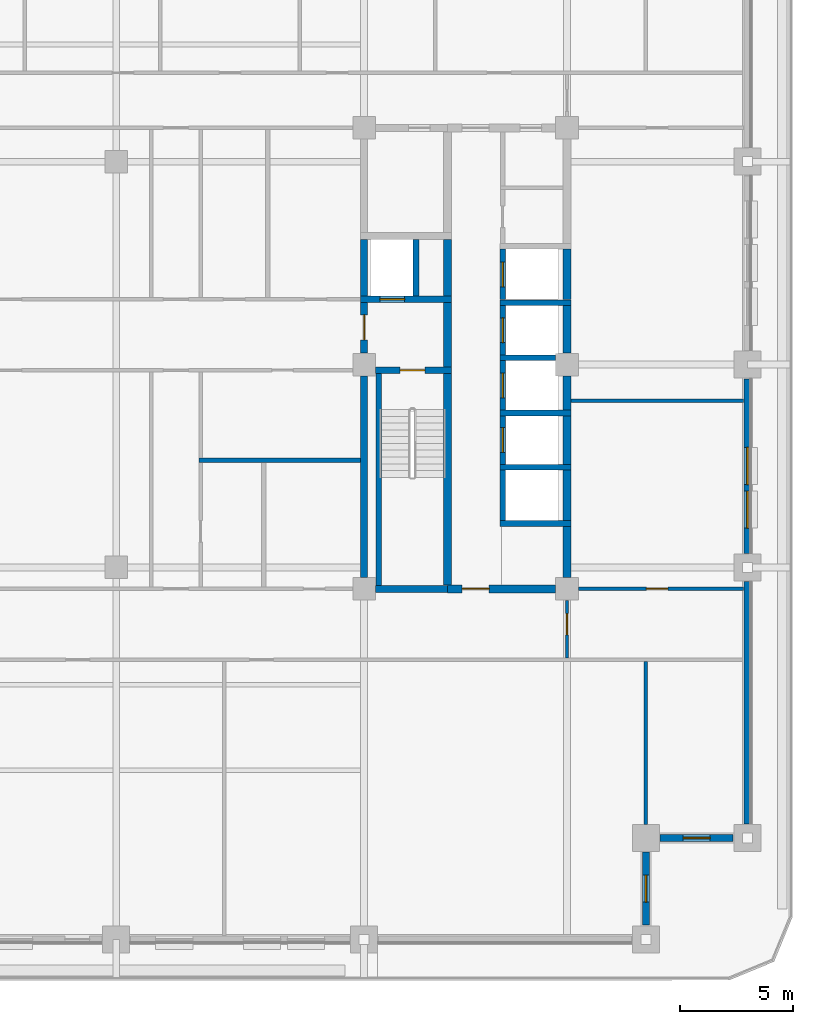
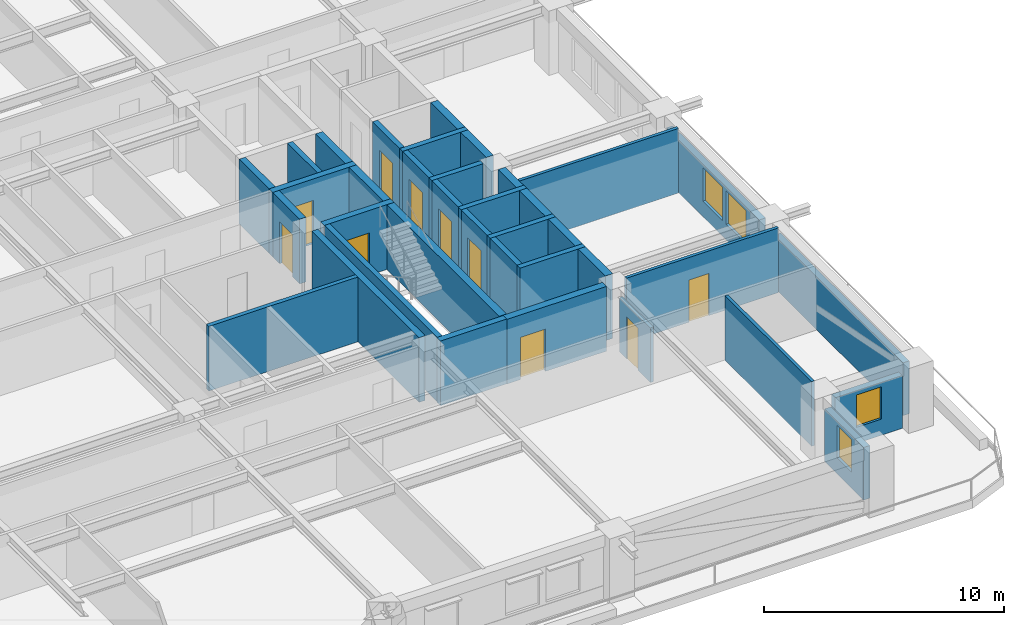
# One storey, part 4 of 14: 37 walls, 10 doors, 4 windows, 14 openings.
"""IFC4 building model written with IfcOpenShell, lengths in metres."""

from ifc_helpers import new_model, si_unit, direction, frame, frame_2d, origin, place, context, subcontext, project, spatial, rectangle, extrude, material, layer, layer_set, type_object, element, fill, save


model = new_model("IFC4")

# Units and contexts
model_context = context("Model", 3, precision=1e-05, world=origin(), true_north=direction((0.0, 1.0)))
body_context = subcontext(model_context, "Body", "Model", "MODEL_VIEW")
ifc_project = project(units=[si_unit("LENGTHUNIT", "METRE"), si_unit("AREAUNIT", "SQUARE_METRE"), si_unit("VOLUMEUNIT", "CUBIC_METRE"), si_unit("PLANEANGLEUNIT", "RADIAN"), si_unit("MASSUNIT", "GRAM", prefix="KILO")], contexts=[model_context])

# Site, building, storey
site_placement = place(None, origin())
site = spatial("IfcSite", under=ifc_project, at=site_placement, CompositionType="ELEMENT")
building_placement = place(site_placement, origin())
building = spatial("IfcBuilding", under=site, at=building_placement, Name="Zulmaris Gate Convention Tower", CompositionType="ELEMENT")
storey_placement = place(building_placement, frame((0.0, 0.0, 94.929931640625)))
storey = spatial("IfcBuildingStorey", under=building, at=storey_placement, Name="L23", CompositionType="ELEMENT", Elevation=94.929931640625)

# Walls
ifc_material_1 = material(Name="Concrete C50/60", Category="concrete")
ifc_layer_1 = layer(ifc_material_1, 0.25, Name="Concrete C50/60")
ifc_layer_set_1 = layer_set([ifc_layer_1], Name="Concrete C50/60")
wall_type_1 = type_object("IfcWallType", Name="CORE-250", PredefinedType="SOLIDWALL", material=ifc_layer_set_1)
for number, where, z_axis, x_axis, name in (
    (1, (17.02490234375, -7.050048828125, 0.0), (0.0, 0.0, 1.0), (1.0, 0.0, 0.0), "WL-L23-005"),
    (2, (17.02490234375, -4.550048828125, 0.0), (0.0, 0.0, 1.0), (1.0, 0.0, 0.0), "WL-L23-006"),
    (3, (17.02490234375, -2.14990234375, 0.0), (0.0, 0.0, 1.0), (1.0, 0.0, 0.0), "WL-L23-007"),
):
    element("IfcWall", number, at=place(storey_placement, frame(where, z_axis=z_axis, x_axis=x_axis)), inside=storey, type_object=wall_type_1, Name=name, PredefinedType="SOLIDWALL", context=body_context, shape_type="SweptSolid", body=[
        extrude(rectangle(XDim=3.150146484375, YDim=0.25, at=frame_2d((1.5751953125, 0.0))), origin(), (0.0, 0.0, 1.0), 3.295166015625),
    ])
wall_1_placement = place(storey_placement, frame((17.02490234375, 0.300048828125, 0.0), z_axis=(0.0, 0.0, 1.0), x_axis=(1.0, 0.0, 0.0)))
element("IfcWall", 4, at=wall_1_placement, inside=storey, type_object=wall_type_1, Name="WL-L23-010", PredefinedType="SOLIDWALL", context=body_context, shape_type="SweptSolid", body=[
    extrude(rectangle(XDim=2.47119140625, YDim=0.25, at=frame_2d((1.235595703125, 0.0))), origin(), (0.0, 0.0, 1.0), 3.295166015625),
])
wall_2_placement = place(storey_placement, frame((17.02490234375, 2.75, 0.0), z_axis=(0.0, 0.0, 1.0), x_axis=(1.0, 0.0, 0.0)))
element("IfcWall", 5, at=wall_2_placement, inside=storey, type_object=wall_type_1, Name="WL-L23-011", PredefinedType="SOLIDWALL", context=body_context, shape_type="SweptSolid", body=[
    extrude(rectangle(XDim=3.150146484375, YDim=0.25, at=frame_2d((1.5751953125, 0.0))), origin(), (0.0, 0.0, 1.0), 3.295166015625),
])
wall_3_placement = place(storey_placement, frame((11.64990234375, -9.798095703125, 0.0), z_axis=(0.0, 0.0, 1.0), x_axis=(0.0, 1.0, 0.0)))
element("IfcWall", 6, at=wall_3_placement, inside=storey, type_object=wall_type_1, Name="WL-L23-051", PredefinedType="SOLIDWALL", context=body_context, shape_type="SweptSolid", body=[
    extrude(rectangle(XDim=9.39599609375, YDim=0.25, at=frame_2d((4.697998046875, 0.0))), origin(), (0.0, 0.0, 1.0), 3.295166015625),
])
wall_4_placement = place(storey_placement, frame((13.300048828125, 3.052001953125, 0.0), z_axis=(0.0, 0.0, 1.0), x_axis=(0.0, 1.0, 0.0)))
element("IfcWall", 7, at=wall_4_placement, inside=storey, type_object=wall_type_1, Name="WL-L23-052", PredefinedType="SOLIDWALL", context=body_context, shape_type="SweptSolid", body=[
    extrude(rectangle(XDim=2.49609375, YDim=0.25, at=frame_2d((1.248046875, 0.0))), origin(), (0.0, 0.0, 1.0), 3.295166015625),
])
wall_5_placement = place(storey_placement, frame((17.14990234375, -6.923095703125, 0.0), z_axis=(0.0, 0.0, 1.0), x_axis=(0.0, 1.0, 0.0)))
element("IfcWall", 8, at=wall_5_placement, inside=storey, type_object=wall_type_1, Name="WL-L23-057", PredefinedType="SOLIDWALL", context=body_context, shape_type="SweptSolid", body=[
    extrude(rectangle(XDim=2.24609375, YDim=0.25, at=frame_2d((1.123046875, 0.0))), origin(), (0.0, 0.0, 1.0), 3.295166015625),
])

# Wall, opening, door
wall_6_placement = place(storey_placement, frame((17.14990234375, -4.423095703125, 0.0), z_axis=(0.0, 0.0, 1.0), x_axis=(0.0, 1.0, 0.0)))
wall_6 = element("IfcWall", 9, at=wall_6_placement, inside=storey, type_object=wall_type_1, Name="WL-L23-058", PredefinedType="SOLIDWALL", context=body_context, shape_type="SweptSolid", body=[
    extrude(rectangle(XDim=2.14599609375, YDim=0.25, at=frame_2d((1.072998046875, 0.0))), origin(), (0.0, 0.0, 1.0), 3.295166015625),
])
opening_1_placement = place(wall_6_placement, frame((0.52294921875, 0.0, 0.0)))
opening_1 = element("IfcOpeningElement", 10, at=opening_1_placement, cuts=wall_6, Name="Opening D-06", PredefinedType="OPENING", context=body_context, shape_type="SweptSolid", body=[
    extrude(rectangle(XDim=1.10009765625, YDim=2.199951171875, at=frame_2d((0.550048828125, 1.10009765625))), frame((0.0, 0.135009765625, 0.0), z_axis=(0.0, -1.0, 0.0), x_axis=(1.0, 0.0, 0.0)), (0.0, 0.0, 1.0), 0.27001953125),
])
ifc_material_2 = material(Name="Brushed Stainless Steel", Category="steel")
door_type_1 = type_object("IfcDoorType", Name="LD-1100", OperationType="NOTDEFINED", PredefinedType="DOOR", material=ifc_material_2)
door_1_placement = place(opening_1_placement, origin())
door_1 = element("IfcDoor", 11, at=door_1_placement, inside=storey, type_object=door_type_1, Name="L23 Lift Landing Door MP-01 13", OperationType="SLIDING_TO_RIGHT", OverallHeight=2.199951171875, OverallWidth=1.10009765625, PredefinedType="DOOR", context=body_context, shape_type="SweptSolid", body=[
    extrude(rectangle(XDim=1.10009765625, YDim=2.199951171875, at=frame_2d((0.550048828125, 1.10009765625))), frame((0.0, 0.02490234375, 0.0), z_axis=(0.0, -1.0, 0.0), x_axis=(1.0, 0.0, 0.0)), (0.0, 0.0, 1.0), 0.050048828125),
])
fill(opening_1, door_1)

wall_7_placement = place(storey_placement, frame((17.14990234375, -2.02294921875, 0.0), z_axis=(0.0, 0.0, 1.0), x_axis=(0.0, 1.0, 0.0)))
wall_7 = element("IfcWall", 12, at=wall_7_placement, inside=storey, type_object=wall_type_1, Name="WL-L23-059", PredefinedType="SOLIDWALL", context=body_context, shape_type="SweptSolid", body=[
    extrude(rectangle(XDim=2.196044921875, YDim=0.25, at=frame_2d((1.09814453125, 0.0))), origin(), (0.0, 0.0, 1.0), 3.295166015625),
])
opening_2_placement = place(wall_7_placement, frame((0.548095703125, 0.0, 0.0)))
opening_2 = element("IfcOpeningElement", 13, at=opening_2_placement, cuts=wall_7, Name="Opening D-06", PredefinedType="OPENING", context=body_context, shape_type="SweptSolid", body=[
    extrude(rectangle(XDim=1.10009765625, YDim=2.199951171875, at=frame_2d((0.550048828125, 1.10009765625))), frame((0.0, 0.135009765625, 0.0), z_axis=(0.0, -1.0, 0.0), x_axis=(1.0, 0.0, 0.0)), (0.0, 0.0, 1.0), 0.27001953125),
])
door_2_placement = place(opening_2_placement, origin())
door_2 = element("IfcDoor", 14, at=door_2_placement, inside=storey, type_object=door_type_1, Name="L23 Lift Landing Door MP-02 14", OperationType="SLIDING_TO_RIGHT", OverallHeight=2.199951171875, OverallWidth=1.10009765625, PredefinedType="DOOR", context=body_context, shape_type="SweptSolid", body=[
    extrude(rectangle(XDim=1.10009765625, YDim=2.199951171875, at=frame_2d((0.550048828125, 1.10009765625))), frame((0.0, 0.02490234375, 0.0), z_axis=(0.0, -1.0, 0.0), x_axis=(1.0, 0.0, 0.0)), (0.0, 0.0, 1.0), 0.050048828125),
])
fill(opening_2, door_2)

wall_8_placement = place(storey_placement, frame((17.14990234375, 0.427001953125, 0.0), z_axis=(0.0, 0.0, 1.0), x_axis=(0.0, 1.0, 0.0)))
wall_8 = element("IfcWall", 15, at=wall_8_placement, inside=storey, type_object=wall_type_1, Name="WL-L23-060", PredefinedType="SOLIDWALL", context=body_context, shape_type="SweptSolid", body=[
    extrude(rectangle(XDim=2.196044921875, YDim=0.25, at=frame_2d((1.09814453125, 0.0))), origin(), (0.0, 0.0, 1.0), 3.295166015625),
])
opening_3_placement = place(wall_8_placement, frame((0.548095703125, 0.0, 0.0)))
opening_3 = element("IfcOpeningElement", 16, at=opening_3_placement, cuts=wall_8, Name="Opening D-06", PredefinedType="OPENING", context=body_context, shape_type="SweptSolid", body=[
    extrude(rectangle(XDim=1.10009765625, YDim=2.199951171875, at=frame_2d((0.550048828125, 1.10009765625))), frame((0.0, 0.135009765625, 0.0), z_axis=(0.0, -1.0, 0.0), x_axis=(1.0, 0.0, 0.0)), (0.0, 0.0, 1.0), 0.27001953125),
])
door_3_placement = place(opening_3_placement, origin())
door_3 = element("IfcDoor", 17, at=door_3_placement, inside=storey, type_object=door_type_1, Name="L23 Lift Landing Door MP-03 15", OperationType="SLIDING_TO_RIGHT", OverallHeight=2.199951171875, OverallWidth=1.10009765625, PredefinedType="DOOR", context=body_context, shape_type="SweptSolid", body=[
    extrude(rectangle(XDim=1.10009765625, YDim=2.199951171875, at=frame_2d((0.550048828125, 1.10009765625))), frame((0.0, 0.02490234375, 0.0), z_axis=(0.0, -1.0, 0.0), x_axis=(1.0, 0.0, 0.0)), (0.0, 0.0, 1.0), 0.050048828125),
])
fill(opening_3, door_3)

wall_9_placement = place(storey_placement, frame((17.14990234375, 2.876953125, 0.0), z_axis=(0.0, 0.0, 1.0), x_axis=(0.0, 1.0, 0.0)))
wall_9 = element("IfcWall", 18, at=wall_9_placement, inside=storey, type_object=wall_type_1, Name="WL-L23-061", PredefinedType="SOLIDWALL", context=body_context, shape_type="SweptSolid", body=[
    extrude(rectangle(XDim=2.24609375, YDim=0.25, at=frame_2d((1.123046875, 0.0))), origin(), (0.0, 0.0, 1.0), 3.295166015625),
])
opening_4_placement = place(wall_9_placement, frame((0.572998046875, 0.0, 0.0)))
opening_4 = element("IfcOpeningElement", 19, at=opening_4_placement, cuts=wall_9, Name="Opening D-06", PredefinedType="OPENING", context=body_context, shape_type="SweptSolid", body=[
    extrude(rectangle(XDim=1.10009765625, YDim=2.199951171875, at=frame_2d((0.550048828125, 1.10009765625))), frame((0.0, 0.135009765625, 0.0), z_axis=(0.0, -1.0, 0.0), x_axis=(1.0, 0.0, 0.0)), (0.0, 0.0, 1.0), 0.27001953125),
])
door_4_placement = place(opening_4_placement, origin())
door_4 = element("IfcDoor", 20, at=door_4_placement, inside=storey, type_object=door_type_1, Name="L23 Lift Landing Door MP-04 16", OperationType="SLIDING_TO_RIGHT", OverallHeight=2.199951171875, OverallWidth=1.10009765625, PredefinedType="DOOR", context=body_context, shape_type="SweptSolid", body=[
    extrude(rectangle(XDim=1.10009765625, YDim=2.199951171875, at=frame_2d((0.550048828125, 1.10009765625))), frame((0.0, 0.02490234375, 0.0), z_axis=(0.0, -1.0, 0.0), x_axis=(1.0, 0.0, 0.0)), (0.0, 0.0, 1.0), 0.050048828125),
])
fill(opening_4, door_4)

# Wall
ifc_layer_2 = layer(ifc_material_1, 0.300048828125, Name="Concrete C50/60")
ifc_layer_set_2 = layer_set([ifc_layer_2], Name="Concrete C50/60")
wall_type_2 = type_object("IfcWallType", Name="CORE-300", PredefinedType="SHEAR", material=ifc_layer_set_2)
wall_10_placement = place(storey_placement, frame((11.50390625, -9.949951171875, 0.0), z_axis=(0.0, 0.0, 1.0), x_axis=(1.0, 0.0, 0.0)))
element("IfcWall", 21, at=wall_10_placement, inside=storey, type_object=wall_type_2, Name="WL-L23-003", PredefinedType="SHEAR", context=body_context, shape_type="SweptSolid", body=[
    extrude(rectangle(XDim=3.196044921875, YDim=0.300048828125, at=frame_2d((1.59814453125, 0.0))), origin(), (0.0, 0.0, 1.0), 3.295166015625),
])

# Wall, opening, door
wall_11_placement = place(storey_placement, frame((11.50390625, -0.25, 0.0), z_axis=(0.0, 0.0, 1.0), x_axis=(1.0, 0.0, 0.0)))
wall_11 = element("IfcWall", 22, at=wall_11_placement, inside=storey, type_object=wall_type_2, Name="WL-L23-009", PredefinedType="SHEAR", context=body_context, shape_type="SweptSolid", body=[
    extrude(rectangle(XDim=3.37109375, YDim=0.300048828125, at=frame_2d((1.685546875, 0.0))), origin(), (0.0, 0.0, 1.0), 3.295166015625),
])
opening_5_placement = place(wall_11_placement, frame((1.095947265625, 0.0, 0.0)))
opening_5 = element("IfcOpeningElement", 23, at=opening_5_placement, cuts=wall_11, Name="Opening D-08", PredefinedType="OPENING", context=body_context, shape_type="SweptSolid", body=[
    extrude(rectangle(XDim=1.10009765625, YDim=2.14990234375, at=frame_2d((0.550048828125, 1.074951171875))), frame((0.0, 0.16015625, 0.0), z_axis=(0.0, -1.0, 0.0), x_axis=(1.0, 0.0, 0.0)), (0.0, 0.0, 1.0), 0.320068359375),
])
ifc_material_3 = material(Name="Fire-Rated Steel", Category="steel")
door_type_2 = type_object("IfcDoorType", Name="DR-1100-FD", OperationType="NOTDEFINED", PredefinedType="DOOR", material=ifc_material_3)
door_5_placement = place(opening_5_placement, origin())
door_5 = element("IfcDoor", 24, at=door_5_placement, inside=storey, type_object=door_type_2, Name="L23 Exit Stair ST-2 Door 04", OperationType="SINGLE_SWING_RIGHT", OverallHeight=2.14990234375, OverallWidth=1.10009765625, PredefinedType="DOOR", context=body_context, shape_type="SweptSolid", body=[
    extrude(rectangle(XDim=1.10009765625, YDim=2.14990234375, at=frame_2d((0.550048828125, 1.074951171875))), frame((0.0, 0.02490234375, 0.0), z_axis=(0.0, -1.0, 0.0), x_axis=(1.0, 0.0, 0.0)), (0.0, 0.0, 1.0), 0.050048828125),
])
fill(opening_5, door_5)

wall_12_placement = place(storey_placement, frame((10.85009765625, 2.89990234375, 0.0), z_axis=(0.0, 0.0, 1.0), x_axis=(1.0, 0.0, 0.0)))
wall_12 = element("IfcWall", 25, at=wall_12_placement, inside=storey, type_object=wall_type_2, Name="WL-L23-013", PredefinedType="SHEAR", context=body_context, shape_type="SweptSolid", body=[
    extrude(rectangle(XDim=4.02490234375, YDim=0.300048828125, at=frame_2d((2.012451171875, 0.0))), origin(), (0.0, 0.0, 1.0), 3.295166015625),
])
opening_6_placement = place(wall_12_placement, frame((0.85009765625, 0.0, 0.0)))
opening_6 = element("IfcOpeningElement", 26, at=opening_6_placement, cuts=wall_12, Name="Opening D-06", PredefinedType="OPENING", context=body_context, shape_type="SweptSolid", body=[
    extrude(rectangle(XDim=1.10009765625, YDim=2.199951171875, at=frame_2d((0.550048828125, 1.10009765625))), frame((0.0, 0.16015625, 0.0), z_axis=(0.0, -1.0, 0.0), x_axis=(1.0, 0.0, 0.0)), (0.0, 0.0, 1.0), 0.320068359375),
])
door_6_placement = place(opening_6_placement, origin())
door_6 = element("IfcDoor", 27, at=door_6_placement, inside=storey, type_object=door_type_1, Name="L23 Lift Landing Door LF-02 06", OperationType="SLIDING_TO_RIGHT", OverallHeight=2.199951171875, OverallWidth=1.10009765625, PredefinedType="DOOR", context=body_context, shape_type="SweptSolid", body=[
    extrude(rectangle(XDim=1.10009765625, YDim=2.199951171875, at=frame_2d((0.550048828125, 1.10009765625))), frame((0.0, 0.02490234375, 0.0), z_axis=(0.0, -1.0, 0.0), x_axis=(1.0, 0.0, 0.0)), (0.0, 0.0, 1.0), 0.050048828125),
])
fill(opening_6, door_6)

# Wall
wall_13_placement = place(storey_placement, frame((11.0, -9.446044921875, 0.0), z_axis=(0.0, 0.0, 1.0), x_axis=(0.0, 1.0, 0.0)))
element("IfcWall", 28, at=wall_13_placement, inside=storey, type_object=wall_type_2, Name="WL-L23-047", PredefinedType="SHEAR", context=body_context, shape_type="SweptSolid", body=[
    extrude(rectangle(XDim=8.942138671875, YDim=0.300048828125, at=frame_2d((4.47119140625, 0.0))), origin(), (0.0, 0.0, 1.0), 3.295166015625),
])

# Wall, opening, door
wall_14_placement = place(storey_placement, frame((11.0, 0.50390625, 0.0), z_axis=(0.0, 0.0, 1.0), x_axis=(0.0, 1.0, 0.0)))
wall_14 = element("IfcWall", 29, at=wall_14_placement, inside=storey, type_object=wall_type_2, Name="WL-L23-048", PredefinedType="SHEAR", context=body_context, shape_type="SweptSolid", body=[
    extrude(rectangle(XDim=2.244140625, YDim=0.300048828125, at=frame_2d((1.1220703125, 0.0))), origin(), (0.0, 0.0, 1.0), 3.295166015625),
])
opening_7_placement = place(wall_14_placement, frame((0.595947265625, 0.0, 0.0)))
opening_7 = element("IfcOpeningElement", 30, at=opening_7_placement, cuts=wall_14, Name="Opening D-08", PredefinedType="OPENING", context=body_context, shape_type="SweptSolid", body=[
    extrude(rectangle(XDim=1.10009765625, YDim=2.14990234375, at=frame_2d((0.550048828125, 1.074951171875))), frame((0.0, 0.16015625, 0.0), z_axis=(0.0, -1.0, 0.0), x_axis=(1.0, 0.0, 0.0)), (0.0, 0.0, 1.0), 0.320068359375),
])
door_7_placement = place(opening_7_placement, origin())
door_7 = element("IfcDoor", 31, at=door_7_placement, inside=storey, type_object=door_type_2, Name="L23 East Firefighting Lobby Door 05", OperationType="SINGLE_SWING_LEFT", OverallHeight=2.14990234375, OverallWidth=1.10009765625, PredefinedType="DOOR", context=body_context, shape_type="SweptSolid", body=[
    extrude(rectangle(XDim=1.10009765625, YDim=2.14990234375, at=frame_2d((0.550048828125, 1.074951171875))), frame((0.0, 0.02490234375, 0.0), z_axis=(0.0, -1.0, 0.0), x_axis=(1.0, 0.0, 0.0)), (0.0, 0.0, 1.0), 0.050048828125),
])
fill(opening_7, door_7)

# Wall
wall_15_placement = place(storey_placement, frame((11.0, 3.052001953125, 0.0), z_axis=(0.0, 0.0, 1.0), x_axis=(0.0, 1.0, 0.0)))
element("IfcWall", 32, at=wall_15_placement, inside=storey, type_object=wall_type_2, Name="WL-L23-049", PredefinedType="SHEAR", context=body_context, shape_type="SweptSolid", body=[
    extrude(rectangle(XDim=2.49609375, YDim=0.300048828125, at=frame_2d((1.248046875, 0.0))), origin(), (0.0, 0.0, 1.0), 3.295166015625),
])

# Wall, opening, door
ifc_material_4 = material(Name="Concrete C55/67", Category="concrete")
ifc_layer_3 = layer(ifc_material_4, 0.35009765625, Name="Concrete C55/67")
ifc_layer_set_3 = layer_set([ifc_layer_3], Name="Concrete C55/67")
wall_type_3 = type_object("IfcWallType", Name="CORE-350", PredefinedType="SHEAR", material=ifc_layer_set_3)
wall_16_placement = place(storey_placement, frame((14.699951171875, -9.949951171875, 0.0), z_axis=(0.0, 0.0, 1.0), x_axis=(1.0, 0.0, 0.0)))
wall_16 = element("IfcWall", 33, at=wall_16_placement, inside=storey, type_object=wall_type_3, Name="WL-L23-004", PredefinedType="SHEAR", context=body_context, shape_type="SweptSolid", body=[
    extrude(rectangle(XDim=4.796142578125, YDim=0.35009765625, at=frame_2d((2.39794921875, 0.0))), origin(), (0.0, 0.0, 1.0), 3.295166015625),
])
opening_8_placement = place(wall_16_placement, frame((0.64990234375, 0.0, 0.0)))
opening_8 = element("IfcOpeningElement", 34, at=opening_8_placement, cuts=wall_16, Name="Opening D-13", PredefinedType="OPENING", context=body_context, shape_type="SweptSolid", body=[
    extrude(rectangle(XDim=1.199951171875, YDim=2.14990234375, at=frame_2d((0.60009765625, 1.074951171875))), frame((0.0, 0.18505859375, 0.0), z_axis=(0.0, -1.0, 0.0), x_axis=(1.0, 0.0, 0.0)), (0.0, 0.0, 1.0), 0.3701171875),
])
door_type_3 = type_object("IfcDoorType", Name="DR-1200-FD", OperationType="NOTDEFINED", PredefinedType="DOOR", material=ifc_material_3)
door_8_placement = place(opening_8_placement, origin())
door_8 = element("IfcDoor", 35, at=door_8_placement, inside=storey, type_object=door_type_3, Name="L23 East Lift Lobby South Door 17", OperationType="SINGLE_SWING_RIGHT", OverallHeight=2.14990234375, OverallWidth=1.199951171875, PredefinedType="DOOR", context=body_context, shape_type="SweptSolid", body=[
    extrude(rectangle(XDim=1.199951171875, YDim=2.14990234375, at=frame_2d((0.60009765625, 1.074951171875))), frame((0.0, 0.02490234375, 0.0), z_axis=(0.0, -1.0, 0.0), x_axis=(1.0, 0.0, 0.0)), (0.0, 0.0, 1.0), 0.050048828125),
])
fill(opening_8, door_8)

# Walls
wall_17_placement = place(storey_placement, frame((14.699951171875, -9.77294921875, 0.0), z_axis=(0.0, 0.0, 1.0), x_axis=(0.0, 1.0, 0.0)))
element("IfcWall", 36, at=wall_17_placement, inside=storey, type_object=wall_type_3, Name="WL-L23-053", PredefinedType="SHEAR", context=body_context, shape_type="SweptSolid", body=[
    extrude(rectangle(XDim=9.370849609375, YDim=0.35009765625, at=frame_2d((4.685546875, 0.0))), origin(), (0.0, 0.0, 1.0), 3.295166015625),
])
wall_18_placement = place(storey_placement, frame((14.699951171875, -0.097900390625, 0.0), z_axis=(0.0, 0.0, 1.0), x_axis=(0.0, 1.0, 0.0)))
element("IfcWall", 37, at=wall_18_placement, inside=storey, type_object=wall_type_3, Name="WL-L23-054", PredefinedType="SHEAR", context=body_context, shape_type="SweptSolid", body=[
    extrude(rectangle(XDim=2.845947265625, YDim=0.35009765625, at=frame_2d((1.4228515625, 0.0))), origin(), (0.0, 0.0, 1.0), 3.295166015625),
])
wall_19_placement = place(storey_placement, frame((14.699951171875, 3.052001953125, 0.0), z_axis=(0.0, 0.0, 1.0), x_axis=(0.0, 1.0, 0.0)))
element("IfcWall", 38, at=wall_19_placement, inside=storey, type_object=wall_type_3, Name="WL-L23-055", PredefinedType="SHEAR", context=body_context, shape_type="SweptSolid", body=[
    extrude(rectangle(XDim=2.49609375, YDim=0.35009765625, at=frame_2d((1.248046875, 0.0))), origin(), (0.0, 0.0, 1.0), 3.295166015625),
])
wall_20_placement = place(storey_placement, frame((20.0, -9.446044921875, 0.0), z_axis=(0.0, 0.0, 1.0), x_axis=(0.0, 1.0, 0.0)))
element("IfcWall", 39, at=wall_20_placement, inside=storey, type_object=wall_type_3, Name="WL-L23-062", PredefinedType="SHEAR", context=body_context, shape_type="SweptSolid", body=[
    extrude(rectangle(XDim=2.26904296875, YDim=0.35009765625, at=frame_2d((1.134521484375, 0.0))), origin(), (0.0, 0.0, 1.0), 3.295166015625),
])
wall_21_placement = place(storey_placement, frame((20.0, -6.923095703125, 0.0), z_axis=(0.0, 0.0, 1.0), x_axis=(0.0, 1.0, 0.0)))
element("IfcWall", 40, at=wall_21_placement, inside=storey, type_object=wall_type_3, Name="WL-L23-063", PredefinedType="SHEAR", context=body_context, shape_type="SweptSolid", body=[
    extrude(rectangle(XDim=2.24609375, YDim=0.35009765625, at=frame_2d((1.123046875, 0.0))), origin(), (0.0, 0.0, 1.0), 3.295166015625),
])
wall_22_placement = place(storey_placement, frame((20.0, -4.423095703125, 0.0), z_axis=(0.0, 0.0, 1.0), x_axis=(0.0, 1.0, 0.0)))
element("IfcWall", 41, at=wall_22_placement, inside=storey, type_object=wall_type_3, Name="WL-L23-064", PredefinedType="SHEAR", context=body_context, shape_type="SweptSolid", body=[
    extrude(rectangle(XDim=2.14599609375, YDim=0.35009765625, at=frame_2d((1.072998046875, 0.0))), origin(), (0.0, 0.0, 1.0), 3.295166015625),
])
wall_23_placement = place(storey_placement, frame((20.0, -2.02294921875, 0.0), z_axis=(0.0, 0.0, 1.0), x_axis=(0.0, 1.0, 0.0)))
element("IfcWall", 42, at=wall_23_placement, inside=storey, type_object=wall_type_3, Name="WL-L23-065", PredefinedType="SHEAR", context=body_context, shape_type="SweptSolid", body=[
    extrude(rectangle(XDim=1.51904296875, YDim=0.35009765625, at=frame_2d((0.759521484375, 0.0))), origin(), (0.0, 0.0, 1.0), 3.295166015625),
])
wall_24_placement = place(storey_placement, frame((20.0, 0.50390625, 0.0), z_axis=(0.0, 0.0, 1.0), x_axis=(0.0, 1.0, 0.0)))
element("IfcWall", 43, at=wall_24_placement, inside=storey, type_object=wall_type_3, Name="WL-L23-066", PredefinedType="SHEAR", context=body_context, shape_type="SweptSolid", body=[
    extrude(rectangle(XDim=2.119140625, YDim=0.35009765625, at=frame_2d((1.0595703125, 0.0))), origin(), (0.0, 0.0, 1.0), 3.295166015625),
])
wall_25_placement = place(storey_placement, frame((20.0, 2.876953125, 0.0), z_axis=(0.0, 0.0, 1.0), x_axis=(0.0, 1.0, 0.0)))
element("IfcWall", 44, at=wall_25_placement, inside=storey, type_object=wall_type_3, Name="WL-L23-067", PredefinedType="SHEAR", context=body_context, shape_type="SweptSolid", body=[
    extrude(rectangle(XDim=2.24609375, YDim=0.35009765625, at=frame_2d((1.123046875, 0.0))), origin(), (0.0, 0.0, 1.0), 3.295166015625),
])

# Wall, opening, door
ifc_material_5 = material(Name="Gypsum Metal Stud Partition")
ifc_layer_4 = layer(ifc_material_5, 0.14990234375, Name="Gypsum Metal Stud Partition")
ifc_layer_set_4 = layer_set([ifc_layer_4], Name="Gypsum Metal Stud Partition")
wall_type_4 = type_object("IfcWallType", Name="PART-150", PredefinedType="PARTITIONING", material=ifc_layer_set_4)
wall_26_placement = place(storey_placement, frame((20.506103515625, -9.949951171875, 0.0), z_axis=(0.0, 0.0, 1.0), x_axis=(1.0, 0.0, 0.0)))
wall_26 = element("IfcWall", 45, at=wall_26_placement, inside=storey, type_object=wall_type_4, Name="WL-L23-024", PredefinedType="PARTITIONING", context=body_context, shape_type="SweptSolid", body=[
    extrude(rectangle(XDim=7.328857421875, YDim=0.14990234375, at=frame_2d((3.66455078125, 0.0))), origin(), (0.0, 0.0, 1.0), 3.295166015625),
])
opening_9_placement = place(wall_26_placement, frame((3.01904296875, 0.0, 0.0)))
opening_9 = element("IfcOpeningElement", 46, at=opening_9_placement, cuts=wall_26, Name="Opening D-11", PredefinedType="OPENING", context=body_context, shape_type="SweptSolid", body=[
    extrude(rectangle(XDim=0.949951171875, YDim=2.14990234375, at=frame_2d((0.47509765625, 1.074951171875))), frame((0.0, 0.0849609375, 0.0), z_axis=(0.0, -1.0, 0.0), x_axis=(1.0, 0.0, 0.0)), (0.0, 0.0, 1.0), 0.169921875),
])
ifc_material_6 = material(Name="Fire-Rated Timber", Category="wood")
door_type_4 = type_object("IfcDoorType", Name="DR-950-FD", OperationType="NOTDEFINED", PredefinedType="DOOR", material=ifc_material_6)
door_9_placement = place(opening_9_placement, origin())
door_9 = element("IfcDoor", 47, at=door_9_placement, inside=storey, type_object=door_type_4, Name="L23 SE Partner Door 48", OperationType="SINGLE_SWING_LEFT", OverallHeight=2.14990234375, OverallWidth=0.949951171875, PredefinedType="DOOR", context=body_context, shape_type="SweptSolid", body=[
    extrude(rectangle(XDim=0.949951171875, YDim=2.14990234375, at=frame_2d((0.47509765625, 1.074951171875))), frame((0.0, 0.02490234375, 0.0), z_axis=(0.0, -1.0, 0.0), x_axis=(1.0, 0.0, 0.0)), (0.0, 0.0, 1.0), 0.050048828125),
])
fill(opening_9, door_9)

# Wall
wall_27_placement = place(storey_placement, frame((20.177978515625, -1.60009765625, 0.0), z_axis=(0.0, 0.0, 1.0), x_axis=(1.0, 0.0, 0.0)))
element("IfcWall", 48, at=wall_27_placement, inside=storey, type_object=wall_type_4, Name="WL-L23-026", PredefinedType="PARTITIONING", context=body_context, shape_type="SweptSolid", body=[
    extrude(rectangle(XDim=7.656982421875, YDim=0.14990234375, at=frame_2d((3.82861328125, 0.0))), origin(), (0.0, 0.0, 1.0), 3.295166015625),
])

# Wall, opening, door
wall_28_placement = place(storey_placement, frame((20.0, -13.02197265625, 0.0), z_axis=(0.0, 0.0, 1.0), x_axis=(0.0, 1.0, 0.0)))
wall_28 = element("IfcWall", 49, at=wall_28_placement, inside=storey, type_object=wall_type_4, Name="WL-L23-091", PredefinedType="PARTITIONING", context=body_context, shape_type="SweptSolid", body=[
    extrude(rectangle(XDim=2.56591796875, YDim=0.14990234375, at=frame_2d((1.282958984375, 0.0))), origin(), (0.0, 0.0, 1.0), 2.78515625),
])
opening_10_placement = place(wall_28_placement, frame((1.027099609375, 0.0, 0.0)))
opening_10 = element("IfcOpeningElement", 50, at=opening_10_placement, cuts=wall_28, Name="Opening D-11", PredefinedType="OPENING", context=body_context, shape_type="SweptSolid", body=[
    extrude(rectangle(XDim=0.949951171875, YDim=2.14990234375, at=frame_2d((0.47509765625, 1.074951171875))), frame((0.0, 0.0849609375, 0.0), z_axis=(0.0, -1.0, 0.0), x_axis=(1.0, 0.0, 0.0)), (0.0, 0.0, 1.0), 0.169921875),
])
door_10_placement = place(opening_10_placement, origin())
door_10 = element("IfcDoor", 51, at=door_10_placement, inside=storey, type_object=door_type_4, Name="L23 SE Spur Door 46", OperationType="SINGLE_SWING_LEFT", OverallHeight=2.14990234375, OverallWidth=0.949951171875, PredefinedType="DOOR", context=body_context, shape_type="SweptSolid", body=[
    extrude(rectangle(XDim=0.949951171875, YDim=2.14990234375, at=frame_2d((0.47509765625, 1.074951171875))), frame((0.0, 0.02490234375, 0.0), z_axis=(0.0, -1.0, 0.0), x_axis=(1.0, 0.0, 0.0)), (0.0, 0.0, 1.0), 0.050048828125),
])
fill(opening_10, door_10)

# Walls
wall_29_placement = place(storey_placement, frame((23.5, -20.39404296875, 0.0), z_axis=(0.0, 0.0, 1.0), x_axis=(0.0, 1.0, 0.0)))
element("IfcWall", 52, at=wall_29_placement, inside=storey, type_object=wall_type_4, Name="WL-L23-093", PredefinedType="PARTITIONING", context=body_context, shape_type="SweptSolid", body=[
    extrude(rectangle(XDim=7.216064453125, YDim=0.14990234375, at=frame_2d((3.60791015625, 0.0))), origin(), (0.0, 0.0, 1.0), 3.295166015625),
])
ifc_material_7 = material(Name="Autoclaved Aerated Concrete Block and Plasterboard", Category="concrete")
ifc_layer_5 = layer(ifc_material_7, 0.199951171875, Name="Autoclaved Aerated Concrete Block and Plasterboard")
ifc_layer_set_5 = layer_set([ifc_layer_5], Name="Autoclaved Aerated Concrete Block and Plasterboard")
wall_type_5 = type_object("IfcWallType", Name="PART-200", PredefinedType="PARTITIONING", material=ifc_layer_set_5)
wall_30_placement = place(storey_placement, frame((3.675048828125, -4.25, 0.0), z_axis=(0.0, 0.0, 1.0), x_axis=(1.0, 0.0, 0.0)))
element("IfcWall", 53, at=wall_30_placement, inside=storey, type_object=wall_type_5, Name="WL-L23-025", PredefinedType="PARTITIONING", context=body_context, shape_type="SweptSolid", body=[
    extrude(rectangle(XDim=7.171875, YDim=0.199951171875, at=frame_2d((3.5859375, 0.0))), origin(), (0.0, 0.0, 1.0), 3.295166015625),
])

# Wall, opening, window
ifc_material_8 = material(Name="Precast concrete C40/50", Category="concrete")
ifc_layer_6 = layer(ifc_material_8, 0.300048828125, Name="Precast concrete C40/50")
ifc_layer_set_6 = layer_set([ifc_layer_6], Name="Precast concrete C40/50")
wall_type_6 = type_object("IfcWallType", Name="PRECAST-PIER-300", PredefinedType="STANDARD", material=ifc_layer_set_6)
wall_31_placement = place(storey_placement, frame((23.5, -24.8701171875, 0.0), z_axis=(0.0, 0.0, 1.0), x_axis=(0.0, 1.0, 0.0)))
wall_31 = element("IfcWall", 54, at=wall_31_placement, inside=storey, type_object=wall_type_6, Name="EW-L23-NOTCH-SE1_0", PredefinedType="STANDARD", context=body_context, shape_type="SweptSolid", body=[
    extrude(rectangle(XDim=3.240234375, YDim=0.300048828125, at=frame_2d((1.6201171875, 0.0))), origin(), (0.0, 0.0, 1.0), 2.68701171875),
])
opening_11_placement = place(wall_31_placement, frame((1.02001953125, 0.0, 0.820068359375)))
opening_11 = element("IfcOpeningElement", 55, at=opening_11_placement, cuts=wall_31, Name="Opening W-04", PredefinedType="OPENING", context=body_context, shape_type="SweptSolid", body=[
    extrude(rectangle(XDim=1.199951171875, YDim=1.64990234375, at=frame_2d((0.60009765625, 0.824951171875))), frame((0.0, 0.16015625, 0.0), z_axis=(0.0, -1.0, 0.0), x_axis=(1.0, 0.0, 0.0)), (0.0, 0.0, 1.0), 0.320068359375),
])
ifc_material_9 = material(Name="Low-E Laminated Double Glazing in Aluminium Frame", Category="aluminium")
window_type_1 = type_object("IfcWindowType", Name="WIN-1200x2100", PartitioningType="SINGLE_PANEL", PredefinedType="WINDOW", material=ifc_material_9)
window_1_placement = place(opening_11_placement, origin())
window_1 = element("IfcWindow", 56, at=window_1_placement, inside=storey, type_object=window_type_1, Name="WN-EW-L23-NOTCH-SE1_0", OverallHeight=1.64990234375, OverallWidth=1.199951171875, PartitioningType="SINGLE_PANEL", PredefinedType="WINDOW", context=body_context, shape_type="SweptSolid", body=[
    extrude(rectangle(XDim=1.199951171875, YDim=1.64990234375, at=frame_2d((0.60009765625, 0.824951171875))), frame((0.0, 0.030029296875, 0.0), z_axis=(0.0, -1.0, 0.0), x_axis=(1.0, 0.0, 0.0)), (0.0, 0.0, 1.0), 0.06005859375),
])
fill(opening_11, window_1)

wall_32_placement = place(storey_placement, frame((24.1298828125, -21.0, 0.0), z_axis=(0.0, 0.0, 1.0), x_axis=(1.0, 0.0, 0.0)))
wall_32 = element("IfcWall", 57, at=wall_32_placement, inside=storey, type_object=wall_type_6, Name="EW-L23-NOTCH-SE2_0", PredefinedType="STANDARD", context=body_context, shape_type="SweptSolid", body=[
    extrude(rectangle(XDim=3.240234375, YDim=0.300048828125, at=frame_2d((1.6201171875, 0.0))), origin(), (0.0, 0.0, 1.0), 2.68701171875),
])
opening_12_placement = place(wall_32_placement, frame((1.02001953125, 0.0, 0.820068359375)))
opening_12 = element("IfcOpeningElement", 58, at=opening_12_placement, cuts=wall_32, Name="Opening W-04", PredefinedType="OPENING", context=body_context, shape_type="SweptSolid", body=[
    extrude(rectangle(XDim=1.199951171875, YDim=1.64990234375, at=frame_2d((0.60009765625, 0.824951171875))), frame((0.0, 0.16015625, 0.0), z_axis=(0.0, -1.0, 0.0), x_axis=(1.0, 0.0, 0.0)), (0.0, 0.0, 1.0), 0.320068359375),
])
window_2_placement = place(opening_12_placement, origin())
window_2 = element("IfcWindow", 59, at=window_2_placement, inside=storey, type_object=window_type_1, Name="WN-EW-L23-NOTCH-SE2_0", OverallHeight=1.64990234375, OverallWidth=1.199951171875, PartitioningType="SINGLE_PANEL", PredefinedType="WINDOW", context=body_context, shape_type="SweptSolid", body=[
    extrude(rectangle(XDim=1.199951171875, YDim=1.64990234375, at=frame_2d((0.60009765625, 0.824951171875))), frame((0.0, 0.030029296875, 0.0), z_axis=(0.0, -1.0, 0.0), x_axis=(1.0, 0.0, 0.0)), (0.0, 0.0, 1.0), 0.06005859375),
])
fill(opening_12, window_2)

# Wall
wall_33_placement = place(storey_placement, frame((28.0, -20.3701171875, 0.0), z_axis=(0.0, 0.0, 1.0), x_axis=(0.0, 1.0, 0.0)))
element("IfcWall", 60, at=wall_33_placement, inside=storey, type_object=wall_type_6, Name="EW-L23-E-0_0", PredefinedType="STANDARD", context=body_context, shape_type="SweptSolid", body=[
    extrude(rectangle(XDim=10.740234375, YDim=0.300048828125, at=frame_2d((5.3701171875, 0.0))), origin(), (0.0, 0.0, 1.0), 2.68701171875),
])

# Wall, openings, windows
wall_34_placement = place(storey_placement, frame((28.0, -8.3701171875, 0.0), z_axis=(0.0, 0.0, 1.0), x_axis=(0.0, 1.0, 0.0)))
wall_34 = element("IfcWall", 61, at=wall_34_placement, inside=storey, type_object=wall_type_6, Name="EW-L23-E-1_0", PredefinedType="STANDARD", context=body_context, shape_type="SweptSolid", body=[
    extrude(rectangle(XDim=7.740234375, YDim=0.300048828125, at=frame_2d((3.8701171875, 0.0))), origin(), (0.0, 0.0, 1.0), 2.68701171875),
])
opening_13_placement = place(wall_34_placement, frame((1.110107421875, 0.0, 0.800048828125)))
opening_13 = element("IfcOpeningElement", 62, at=opening_13_placement, cuts=wall_34, Name="Opening W-08", PredefinedType="OPENING", context=body_context, shape_type="SweptSolid", body=[
    extrude(rectangle(XDim=1.64990234375, YDim=1.699951171875, at=frame_2d((0.824951171875, 0.85009765625))), frame((0.0, 0.16015625, 0.0), z_axis=(0.0, -1.0, 0.0), x_axis=(1.0, 0.0, 0.0)), (0.0, 0.0, 1.0), 0.320068359375),
])
opening_14_placement = place(wall_34_placement, frame((3.044921875, 0.0, 0.800048828125)))
opening_14 = element("IfcOpeningElement", 63, at=opening_14_placement, cuts=wall_34, Name="Opening W-08", PredefinedType="OPENING", context=body_context, shape_type="SweptSolid", body=[
    extrude(rectangle(XDim=1.64990234375, YDim=1.699951171875, at=frame_2d((0.824951171875, 0.85009765625))), frame((0.0, 0.16015625, 0.0), z_axis=(0.0, -1.0, 0.0), x_axis=(1.0, 0.0, 0.0)), (0.0, 0.0, 1.0), 0.320068359375),
])
window_type_2 = type_object("IfcWindowType", Name="WIN-1650x2150", PartitioningType="SINGLE_PANEL", PredefinedType="WINDOW", material=ifc_material_9)
window_3_placement = place(opening_13_placement, origin())
window_3 = element("IfcWindow", 64, at=window_3_placement, inside=storey, type_object=window_type_2, Name="WN-EW-L23-E-1_0-1", OverallHeight=1.699951171875, OverallWidth=1.64990234375, PartitioningType="SINGLE_PANEL", PredefinedType="WINDOW", context=body_context, shape_type="SweptSolid", body=[
    extrude(rectangle(XDim=1.64990234375, YDim=1.699951171875, at=frame_2d((0.824951171875, 0.85009765625))), frame((0.0, 0.030029296875, 0.0), z_axis=(0.0, -1.0, 0.0), x_axis=(1.0, 0.0, 0.0)), (0.0, 0.0, 1.0), 0.06005859375),
])
fill(opening_13, window_3)
window_4_placement = place(opening_14_placement, origin())
window_4 = element("IfcWindow", 65, at=window_4_placement, inside=storey, type_object=window_type_2, Name="WN-EW-L23-E-1_0-2", OverallHeight=1.699951171875, OverallWidth=1.64990234375, PartitioningType="SINGLE_PANEL", PredefinedType="WINDOW", context=body_context, shape_type="SweptSolid", body=[
    extrude(rectangle(XDim=1.64990234375, YDim=1.699951171875, at=frame_2d((0.824951171875, 0.85009765625))), frame((0.0, 0.030029296875, 0.0), z_axis=(0.0, -1.0, 0.0), x_axis=(1.0, 0.0, 0.0)), (0.0, 0.0, 1.0), 0.06005859375),
])
fill(opening_14, window_4)

save(model, "model.ifc")
